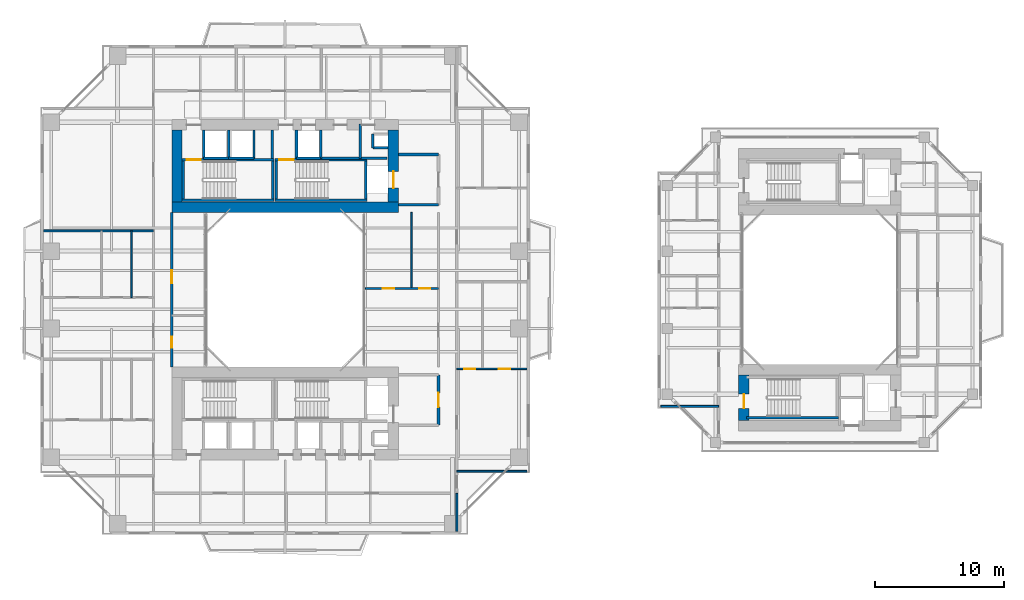
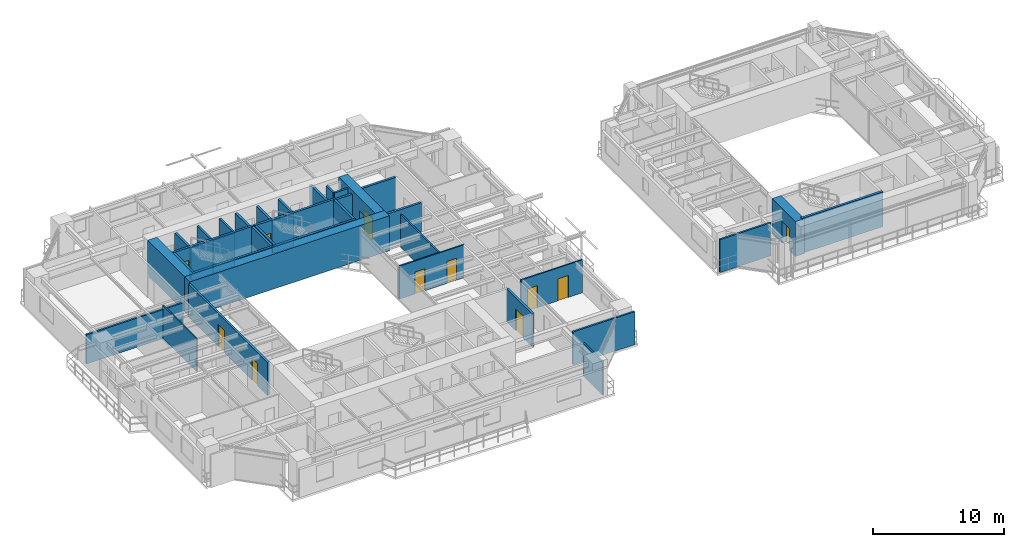
# One storey, part 14 of 23: 38 walls, 11 doors, 11 openings.
"""IFC4 building model written with IfcOpenShell, lengths in metres."""

from ifc_helpers import new_model, si_unit, direction, frame, frame_2d, origin, place, context, subcontext, project, spatial, rectangle, extrude, source, transform, mapped, material, layer, layer_set, type_object, element, fill, save


model = new_model("IFC4")

# Units and contexts
model_context = context("Model", 3, precision=1e-05, world=origin(), true_north=direction((0.0, 1.0)))
body_context = subcontext(model_context, "Body", "Model", "MODEL_VIEW")
ifc_project = project(units=[si_unit("LENGTHUNIT", "METRE"), si_unit("AREAUNIT", "SQUARE_METRE"), si_unit("VOLUMEUNIT", "CUBIC_METRE"), si_unit("PLANEANGLEUNIT", "RADIAN"), si_unit("MASSUNIT", "GRAM", prefix="KILO"), si_unit("THERMODYNAMICTEMPERATUREUNIT", "KELVIN"), si_unit("POWERUNIT", "WATT")], contexts=[model_context])

# Site, building, storey
site_placement = place(None, origin())
site = spatial("IfcSite", under=ifc_project, at=site_placement, CompositionType="ELEMENT")
building_placement = place(site_placement, origin())
building = spatial("IfcBuilding", under=site, at=building_placement, Name="Qiaomeng Ring Towers", CompositionType="ELEMENT")
storey_placement = place(building_placement, frame((0.0, 0.0, 76.25)))
storey = spatial("IfcBuildingStorey", under=building, at=storey_placement, Name="L21", CompositionType="ELEMENT", Elevation=76.25)

# Walls
ifc_material_1 = material(Name="Autoclaved aerated concrete block", Category="concrete")
ifc_layer_1 = layer(ifc_material_1, 0.199951171875, Name="Autoclaved aerated concrete block")
ifc_layer_set_1 = layer_set([ifc_layer_1], Name="Autoclaved aerated concrete block")
wall_type_1 = type_object("IfcWallType", Name="ARC-WL-PW1", PredefinedType="PARTITIONING", material=ifc_layer_set_1)
for number, where, z_axis, x_axis, name in (
    (1, (27.800048828125, 29.60009765625, 0.0), (0.0, 0.0, 1.0), (1.0, 0.0, 0.0), "L21 Interior Wall PW1"),
    (2, (27.800048828125, 33.5, 0.0), (0.0, 0.0, 1.0), (1.0, 0.0, 0.0), "L21 Interior Wall PW1"),
):
    element("IfcWall", number, at=place(storey_placement, frame(where, z_axis=z_axis, x_axis=x_axis)), inside=storey, type_object=wall_type_1, Name=name, PredefinedType="PARTITIONING", context=body_context, shape_type="SweptSolid", body=[
        extrude(rectangle(XDim=3.099853515625, YDim=0.199951171875, at=frame_2d((1.5498046875, 0.0))), origin(), (0.0, 0.0, 1.0), 3.070068359375),
    ])

# Wall, opening, door
wall_1_placement = place(storey_placement, frame((30.89990234375, 12.5, 0.0), z_axis=(0.0, 0.0, 1.0), x_axis=(0.0, 1.0, 0.0)))
wall_1 = element("IfcWall", 3, at=wall_1_placement, inside=storey, type_object=wall_type_1, Name="L21 Interior Wall PW1", PredefinedType="PARTITIONING", context=body_context, shape_type="SweptSolid", body=[
    extrude(rectangle(XDim=3.89990234375, YDim=0.199951171875, at=frame_2d((1.949951171875, 0.0))), origin(), (0.0, 0.0, 1.0), 3.070068359375),
])
opening_1_placement = place(wall_1_placement, frame((1.39990234375, 0.0, 0.0)))
opening_1 = element("IfcOpeningElement", 4, at=opening_1_placement, cuts=wall_1, Name="Opening FD3", PredefinedType="OPENING", context=body_context, shape_type="SweptSolid", body=[
    extrude(rectangle(XDim=1.10009765625, YDim=2.050048828125, at=frame_2d((0.550048828125, 1.02490234375))), frame((0.0, 0.10986328125, 0.0), z_axis=(0.0, -1.0, 0.0), x_axis=(1.0, 0.0, 0.0)), (0.0, 0.0, 1.0), 0.219970703125),
])
ifc_material_2 = material(Name="Galvanised steel", Category="steel")
door_type_1 = type_object("IfcDoorType", Name="ARC-DR-FD3", OperationType="NOTDEFINED", PredefinedType="DOOR", material=ifc_material_2)
shared_shape_1 = source(origin(), body_context, "Body", "SweptSolid", [
    extrude(rectangle(XDim=1.10009765625, YDim=2.050048828125, at=frame_2d((0.550048828125, 1.02490234375))), frame((0.0, 0.02490234375, 0.0), z_axis=(0.0, -1.0, 0.0), x_axis=(1.0, 0.0, 0.0)), (0.0, 0.0, 1.0), 0.050048828125),
])
door_1_placement = place(opening_1_placement, origin())
door_1 = element("IfcDoor", 5, at=door_1_placement, inside=storey, type_object=door_type_1, Name="L21 South FF Lobby Door", OperationType="SINGLE_SWING_RIGHT", OverallHeight=2.050048828125, OverallWidth=1.10009765625, PredefinedType="DOOR", context=body_context, shape_type="MappedRepresentation", body=[
    mapped(shared_shape_1, transform((0.0, 0.0, 0.0), x_axis=(1.0, 0.0, 0.0), y_axis=(0.0, 1.0, 0.0), z_axis=(0.0, 0.0, 1.0), scale=1.0)),
])
fill(opening_1, door_1)

# Walls
for number, where, z_axis, x_axis, name in (
    (6, (12.679931640625, 33.18994140625, 0.0), (0.0, 0.0, 1.0), (0.0, 1.0, 0.0), "L21 Interior Wall PW1"),
    (7, (18.0, 33.18994140625, 0.0), (0.0, 0.0, 1.0), (0.0, 1.0, 0.0), "L21 Interior Wall PW1"),
    (8, (19.8798828125, 33.18994140625, 0.0), (0.0, 0.0, 1.0), (0.0, 1.0, 0.0), "L21 Interior Wall PW1"),
):
    element("IfcWall", number, at=place(storey_placement, frame(where, z_axis=z_axis, x_axis=x_axis)), inside=storey, type_object=wall_type_1, Name=name, PredefinedType="PARTITIONING", context=body_context, shape_type="SweptSolid", body=[
        extrude(rectangle(XDim=2.2099609375, YDim=0.199951171875, at=frame_2d((1.10498046875, 0.0))), origin(), (0.0, 0.0, 1.0), 3.070068359375),
    ])
wall_2_placement = place(storey_placement, frame((24.820068359375, 33.199951171875, 0.0), z_axis=(0.0, 0.0, 1.0), x_axis=(0.0, 1.0, 0.0)))
element("IfcWall", 9, at=wall_2_placement, inside=storey, type_object=wall_type_1, Name="L21 Interior Wall PW1", PredefinedType="PARTITIONING", context=body_context, shape_type="SweptSolid", body=[
    extrude(rectangle(XDim=2.650146484375, YDim=0.199951171875, at=frame_2d((1.3251953125, 0.0))), origin(), (0.0, 0.0, 1.0), 3.070068359375),
])
wall_3_placement = place(storey_placement, frame((21.75, 33.199951171875, 0.0), z_axis=(0.0, 0.0, 1.0), x_axis=(0.0, 1.0, 0.0)))
element("IfcWall", 10, at=wall_3_placement, inside=storey, type_object=wall_type_1, Name="L21 Interior Wall PW1", PredefinedType="PARTITIONING", context=body_context, shape_type="SweptSolid", body=[
    extrude(rectangle(XDim=2.199951171875, YDim=0.199951171875, at=frame_2d((1.10009765625, 0.0))), origin(), (0.0, 0.0, 1.0), 3.070068359375),
])
wall_4_placement = place(storey_placement, frame((21.75, 33.199951171875, 0.0), z_axis=(0.0, 0.0, 1.0), x_axis=(1.0, 0.0, 0.0)))
element("IfcWall", 11, at=wall_4_placement, inside=storey, type_object=wall_type_1, Name="L21 Interior Wall PW1", PredefinedType="PARTITIONING", context=body_context, shape_type="SweptSolid", body=[
    extrude(rectangle(XDim=5.169921875, YDim=0.199951171875, at=frame_2d((2.5849609375, 0.0))), origin(), (0.0, 0.0, 1.0), 3.070068359375),
])

# Wall, openings, doors
ifc_layer_2 = layer(ifc_material_1, 0.179931640625, Name="Autoclaved aerated concrete block")
ifc_layer_set_2 = layer_set([ifc_layer_2], Name="Autoclaved aerated concrete block")
wall_type_2 = type_object("IfcWallType", Name="ARC-WL-PW2", PredefinedType="PARTITIONING", material=ifc_layer_set_2)
wall_5_placement = place(storey_placement, frame((10.199951171875, 17.0, 0.0), z_axis=(0.0, 0.0, 1.0), x_axis=(0.0, 1.0, 0.0)))
wall_5 = element("IfcWall", 12, at=wall_5_placement, inside=storey, type_object=wall_type_2, Name="L21 Interior Wall PW2", PredefinedType="PARTITIONING", context=body_context, shape_type="SweptSolid", body=[
    extrude(rectangle(XDim=12.0, YDim=0.179931640625, at=frame_2d((6.0, 0.0))), origin(), (0.0, 0.0, 1.0), 3.070068359375),
])
opening_2_placement = place(wall_5_placement, frame((1.5, 0.0, 0.0)))
opening_2 = element("IfcOpeningElement", 13, at=opening_2_placement, cuts=wall_5, Name="Opening ID2", PredefinedType="OPENING", context=body_context, shape_type="SweptSolid", body=[
    extrude(rectangle(XDim=0.85009765625, YDim=2.050048828125, at=frame_2d((0.425048828125, 1.02490234375))), frame((0.0, 0.099853515625, 0.0), z_axis=(0.0, -1.0, 0.0), x_axis=(1.0, 0.0, 0.0)), (0.0, 0.0, 1.0), 0.199951171875),
])
opening_3_placement = place(wall_5_placement, frame((6.5, 0.0, 0.0)))
opening_3 = element("IfcOpeningElement", 14, at=opening_3_placement, cuts=wall_5, Name="Opening FD4", PredefinedType="OPENING", context=body_context, shape_type="SweptSolid", body=[
    extrude(rectangle(XDim=1.0, YDim=2.050048828125, at=frame_2d((0.5, 1.02490234375))), frame((0.0, 0.099853515625, 0.0), z_axis=(0.0, -1.0, 0.0), x_axis=(1.0, 0.0, 0.0)), (0.0, 0.0, 1.0), 0.199951171875),
])
ifc_material_3 = material(Name="Engineered fire-rated oak timber", Category="wood")
door_type_2 = type_object("IfcDoorType", Name="ARC-DR-FD4", OperationType="NOTDEFINED", PredefinedType="DOOR", material=ifc_material_3)
shared_shape_2 = source(origin(), body_context, "Body", "SweptSolid", [
    extrude(rectangle(XDim=1.0, YDim=2.050048828125, at=frame_2d((0.5, 1.02490234375))), frame((0.0, 0.02490234375, 0.0), z_axis=(0.0, -1.0, 0.0), x_axis=(1.0, 0.0, 0.0)), (0.0, 0.0, 1.0), 0.050048828125),
])
door_2_placement = place(opening_3_placement, origin())
door_2 = element("IfcDoor", 15, at=door_2_placement, inside=storey, type_object=door_type_2, Name="L21 Door FD4", OperationType="SINGLE_SWING_RIGHT", OverallHeight=2.050048828125, OverallWidth=1.0, PredefinedType="DOOR", context=body_context, shape_type="MappedRepresentation", body=[
    mapped(shared_shape_2, transform((0.0, 0.0, 0.0), x_axis=(1.0, 0.0, 0.0), y_axis=(0.0, 1.0, 0.0), z_axis=(0.0, 0.0, 1.0), scale=1.0)),
])
fill(opening_3, door_2)
ifc_material_4 = material(Name="Moisture-resistant engineered timber", Category="wood")
door_type_3 = type_object("IfcDoorType", Name="ARC-DR-ID2", OperationType="NOTDEFINED", PredefinedType="DOOR", material=ifc_material_4)
shared_shape_3 = source(origin(), body_context, "Body", "SweptSolid", [
    extrude(rectangle(XDim=0.85009765625, YDim=2.050048828125, at=frame_2d((0.425048828125, 1.02490234375))), frame((0.0, 0.02490234375, 0.0), z_axis=(0.0, -1.0, 0.0), x_axis=(1.0, 0.0, 0.0)), (0.0, 0.0, 1.0), 0.050048828125),
])
door_3_placement = place(opening_2_placement, origin())
door_3 = element("IfcDoor", 16, at=door_3_placement, inside=storey, type_object=door_type_3, Name="L21 Door ID2", OperationType="SINGLE_SWING_LEFT", OverallHeight=2.050048828125, OverallWidth=0.85009765625, PredefinedType="DOOR", context=body_context, shape_type="MappedRepresentation", body=[
    mapped(shared_shape_3, transform((0.0, 0.0, 0.0), x_axis=(1.0, 0.0, 0.0), y_axis=(0.0, 1.0, 0.0), z_axis=(0.0, 0.0, 1.0), scale=1.0)),
])
fill(opening_2, door_3)

# Walls
ifc_material_5 = material(Name="Gypsum fireboard steel-stud partition", Category="steel")
ifc_layer_3 = layer(ifc_material_5, 0.14990234375, Name="Gypsum fireboard steel-stud partition")
ifc_layer_set_3 = layer_set([ifc_layer_3], Name="Gypsum fireboard steel-stud partition")
wall_type_3 = type_object("IfcWallType", Name="ARC-WL-PW3", PredefinedType="PARTITIONING", material=ifc_layer_set_3)
wall_6_placement = place(storey_placement, frame((32.320068359375, 4.25, 0.0), z_axis=(0.0, 0.0, 1.0), x_axis=(0.0, 1.0, 0.0)))
element("IfcWall", 17, at=wall_6_placement, inside=storey, type_object=wall_type_3, Name="L21 Interior Wall PW3", PredefinedType="PARTITIONING", context=body_context, shape_type="SweptSolid", body=[
    extrude(rectangle(XDim=2.9599609375, YDim=0.14990234375, at=frame_2d((1.47998046875, 0.0))), origin(), (0.0, 0.0, 1.0), 3.070068359375),
])
wall_7_placement = place(storey_placement, frame((0.25, 27.580078125, 0.0), z_axis=(0.0, 0.0, 1.0), x_axis=(1.0, 0.0, 0.0)))
element("IfcWall", 18, at=wall_7_placement, inside=storey, type_object=wall_type_3, Name="L21 Interior Wall PW3", PredefinedType="PARTITIONING", context=body_context, shape_type="SweptSolid", body=[
    extrude(rectangle(XDim=8.530029296875, YDim=0.14990234375, at=frame_2d((4.26513671875, 0.0))), origin(), (0.0, 0.0, 1.0), 2.715087890625),
])
wall_8_placement = place(storey_placement, frame((32.320068359375, 8.919921875, 0.0), z_axis=(0.0, 0.0, 1.0), x_axis=(1.0, 0.0, 0.0)))
element("IfcWall", 19, at=wall_8_placement, inside=storey, type_object=wall_type_3, Name="L21 Interior Wall PW3", PredefinedType="PARTITIONING", context=body_context, shape_type="SweptSolid", body=[
    extrude(rectangle(XDim=5.429931640625, YDim=0.14990234375, at=frame_2d((2.71484375, 0.0))), origin(), (0.0, 0.0, 1.0), 3.070068359375),
])
wall_9_placement = place(storey_placement, frame((48.14990234375, 13.949951171875, 0.0), z_axis=(0.0, 0.0, 1.0), x_axis=(1.0, 0.0, 0.0)))
element("IfcWall", 20, at=wall_9_placement, inside=storey, type_object=wall_type_3, Name="L21 Interior Wall PW3", PredefinedType="PARTITIONING", context=body_context, shape_type="SweptSolid", body=[
    extrude(rectangle(XDim=4.5, YDim=0.14990234375, at=frame_2d((2.25, 0.0))), origin(), (0.0, 0.0, 1.0), 3.070068359375),
])
ifc_material_6 = material(Name="Moisture-resistant gypsum steel-stud partition", Category="steel")
ifc_layer_4 = layer(ifc_material_6, 0.1201171875, Name="Moisture-resistant gypsum steel-stud partition")
ifc_layer_set_4 = layer_set([ifc_layer_4], Name="Moisture-resistant gypsum steel-stud partition")
wall_type_4 = type_object("IfcWallType", Name="ARC-WL-PW4", PredefinedType="PLUMBINGWALL", material=ifc_layer_set_4)
wall_10_placement = place(storey_placement, frame((7.06005859375, 22.39990234375, 0.0), z_axis=(0.0, 0.0, 1.0), x_axis=(0.0, 1.0, 0.0)))
element("IfcWall", 21, at=wall_10_placement, inside=storey, type_object=wall_type_4, Name="L21 Interior Wall PW4", PredefinedType="PLUMBINGWALL", context=body_context, shape_type="SweptSolid", body=[
    extrude(rectangle(XDim=5.18017578125, YDim=0.1201171875, at=frame_2d((2.590087890625, 0.0))), origin(), (0.0, 0.0, 1.0), 3.070068359375),
])

# Wall, openings, doors
wall_11_placement = place(storey_placement, frame((32.320068359375, 16.860107421875, 0.0), z_axis=(0.0, 0.0, 1.0), x_axis=(1.0, 0.0, 0.0)))
wall_11 = element("IfcWall", 22, at=wall_11_placement, inside=storey, type_object=wall_type_4, Name="L21 Interior Wall PW4", PredefinedType="PLUMBINGWALL", context=body_context, shape_type="SweptSolid", body=[
    extrude(rectangle(XDim=5.429931640625, YDim=0.1201171875, at=frame_2d((2.71484375, 0.0))), origin(), (0.0, 0.0, 1.0), 3.070068359375),
])
opening_4_placement = place(wall_11_placement, frame((0.590087890625, 0.0, 0.0)))
opening_4 = element("IfcOpeningElement", 23, at=opening_4_placement, cuts=wall_11, Name="Opening ID2", PredefinedType="OPENING", context=body_context, shape_type="SweptSolid", body=[
    extrude(rectangle(XDim=0.85009765625, YDim=2.050048828125, at=frame_2d((0.425048828125, 1.02490234375))), frame((0.0, 0.070068359375, 0.0), z_axis=(0.0, -1.0, 0.0), x_axis=(1.0, 0.0, 0.0)), (0.0, 0.0, 1.0), 0.14013671875),
])
opening_5_placement = place(wall_11_placement, frame((3.260009765625, 0.0, 0.0)))
opening_5 = element("IfcOpeningElement", 24, at=opening_5_placement, cuts=wall_11, Name="Opening ID1", PredefinedType="OPENING", context=body_context, shape_type="SweptSolid", body=[
    extrude(rectangle(XDim=0.89990234375, YDim=2.050048828125, at=frame_2d((0.449951171875, 1.02490234375))), frame((0.0, 0.070068359375, 0.0), z_axis=(0.0, -1.0, 0.0), x_axis=(1.0, 0.0, 0.0)), (0.0, 0.0, 1.0), 0.14013671875),
])
door_4_placement = place(opening_4_placement, origin())
door_4 = element("IfcDoor", 25, at=door_4_placement, inside=storey, type_object=door_type_3, Name="L21 Door ID2", OperationType="SINGLE_SWING_LEFT", OverallHeight=2.050048828125, OverallWidth=0.85009765625, PredefinedType="DOOR", context=body_context, shape_type="MappedRepresentation", body=[
    mapped(shared_shape_3, transform((0.0, 0.0, 0.0), x_axis=(1.0, 0.0, 0.0), y_axis=(0.0, 1.0, 0.0), z_axis=(0.0, 0.0, 1.0), scale=1.0)),
])
fill(opening_4, door_4)
ifc_material_7 = material(Name="Engineered oak timber", Category="wood")
door_type_4 = type_object("IfcDoorType", Name="ARC-DR-ID1", OperationType="NOTDEFINED", PredefinedType="DOOR", material=ifc_material_7)
shared_shape_4 = source(origin(), body_context, "Body", "SweptSolid", [
    extrude(rectangle(XDim=0.89990234375, YDim=2.050048828125, at=frame_2d((0.449951171875, 1.02490234375))), frame((0.0, 0.02490234375, 0.0), z_axis=(0.0, -1.0, 0.0), x_axis=(1.0, 0.0, 0.0)), (0.0, 0.0, 1.0), 0.050048828125),
])
door_5_placement = place(opening_5_placement, origin())
door_5 = element("IfcDoor", 26, at=door_5_placement, inside=storey, type_object=door_type_4, Name="L21 Door ID1", OperationType="SINGLE_SWING_RIGHT", OverallHeight=2.050048828125, OverallWidth=0.89990234375, PredefinedType="DOOR", context=body_context, shape_type="MappedRepresentation", body=[
    mapped(shared_shape_4, transform((0.0, 0.0, 0.0), x_axis=(1.0, 0.0, 0.0), y_axis=(0.0, 1.0, 0.0), z_axis=(0.0, 0.0, 1.0), scale=1.0)),
])
fill(opening_5, door_5)

wall_12_placement = place(storey_placement, frame((25.219970703125, 23.10009765625, 0.0), z_axis=(0.0, 0.0, 1.0), x_axis=(1.0, 0.0, 0.0)))
wall_12 = element("IfcWall", 27, at=wall_12_placement, inside=storey, type_object=wall_type_4, Name="L21 Interior Wall PW4", PredefinedType="PLUMBINGWALL", context=body_context, shape_type="SweptSolid", body=[
    extrude(rectangle(XDim=5.679931640625, YDim=0.1201171875, at=frame_2d((2.83984375, 0.0))), origin(), (0.0, 0.0, 1.0), 3.070068359375),
])
opening_6_placement = place(wall_12_placement, frame((1.35009765625, 0.0, 0.0)))
opening_6 = element("IfcOpeningElement", 28, at=opening_6_placement, cuts=wall_12, Name="Opening ID1", PredefinedType="OPENING", context=body_context, shape_type="SweptSolid", body=[
    extrude(rectangle(XDim=0.89990234375, YDim=2.050048828125, at=frame_2d((0.449951171875, 1.02490234375))), frame((0.0, 0.070068359375, 0.0), z_axis=(0.0, -1.0, 0.0), x_axis=(1.0, 0.0, 0.0)), (0.0, 0.0, 1.0), 0.14013671875),
])
opening_7_placement = place(wall_12_placement, frame((4.195068359375, 0.0, 0.0)))
opening_7 = element("IfcOpeningElement", 29, at=opening_7_placement, cuts=wall_12, Name="Opening ID2", PredefinedType="OPENING", context=body_context, shape_type="SweptSolid", body=[
    extrude(rectangle(XDim=0.85009765625, YDim=2.050048828125, at=frame_2d((0.425048828125, 1.02490234375))), frame((0.0, 0.070068359375, 0.0), z_axis=(0.0, -1.0, 0.0), x_axis=(1.0, 0.0, 0.0)), (0.0, 0.0, 1.0), 0.14013671875),
])
door_6_placement = place(opening_7_placement, origin())
door_6 = element("IfcDoor", 30, at=door_6_placement, inside=storey, type_object=door_type_3, Name="L21 Door ID2", OperationType="SINGLE_SWING_RIGHT", OverallHeight=2.050048828125, OverallWidth=0.85009765625, PredefinedType="DOOR", context=body_context, shape_type="MappedRepresentation", body=[
    mapped(shared_shape_3, transform((0.0, 0.0, 0.0), x_axis=(1.0, 0.0, 0.0), y_axis=(0.0, 1.0, 0.0), z_axis=(0.0, 0.0, 1.0), scale=1.0)),
])
fill(opening_7, door_6)
door_7_placement = place(opening_6_placement, origin())
door_7 = element("IfcDoor", 31, at=door_7_placement, inside=storey, type_object=door_type_4, Name="L21 Door ID1", OperationType="SINGLE_SWING_LEFT", OverallHeight=2.050048828125, OverallWidth=0.89990234375, PredefinedType="DOOR", context=body_context, shape_type="MappedRepresentation", body=[
    mapped(shared_shape_4, transform((0.0, 0.0, 0.0), x_axis=(1.0, 0.0, 0.0), y_axis=(0.0, 1.0, 0.0), z_axis=(0.0, 0.0, 1.0), scale=1.0)),
])
fill(opening_6, door_7)

# Walls
wall_13_placement = place(storey_placement, frame((28.800048828125, 23.10009765625, 0.0), z_axis=(0.0, 0.0, 1.0), x_axis=(0.0, 1.0, 0.0)))
element("IfcWall", 32, at=wall_13_placement, inside=storey, type_object=wall_type_4, Name="L21 Interior Wall PW4", PredefinedType="PLUMBINGWALL", context=body_context, shape_type="SweptSolid", body=[
    extrude(rectangle(XDim=5.89990234375, YDim=0.1201171875, at=frame_2d((2.949951171875, 0.0))), origin(), (0.0, 0.0, 1.0), 3.070068359375),
])
ifc_material_8 = material(Name="Concrete C40", Category="concrete")
ifc_layer_5 = layer(ifc_material_8, 0.199951171875, Name="Concrete C40")
ifc_layer_set_5 = layer_set([ifc_layer_5], Name="Concrete C40")
wall_type_5 = type_object("IfcWallType", Name="STR-WL-STSHAFT", PredefinedType="SHEAR", material=ifc_layer_set_5)
wall_14_placement = place(storey_placement, frame((12.679931640625, 33.199951171875, 0.0), z_axis=(0.0, 0.0, 1.0), x_axis=(1.0, 0.0, 0.0)))
element("IfcWall", 33, at=wall_14_placement, inside=storey, type_object=wall_type_5, Name="L21 Lift LP5 Shaft Back Wall", PredefinedType="SHEAR", context=body_context, shape_type="SweptSolid", body=[
    extrude(rectangle(XDim=1.940185546875, YDim=0.179931640625, at=frame_2d((0.97021484375, 0.0))), origin(), (0.0, 0.0, 1.0), 3.070068359375),
])
wall_15_placement = place(storey_placement, frame((14.6201171875, 33.199951171875, 0.0), z_axis=(0.0, 0.0, 1.0), x_axis=(0.0, 1.0, 0.0)))
element("IfcWall", 34, at=wall_15_placement, inside=storey, type_object=wall_type_5, Name="L21 Lift LP5-LP3 Shaft Divider Wall", PredefinedType="SHEAR", context=body_context, shape_type="SweptSolid", body=[
    extrude(rectangle(XDim=2.199951171875, YDim=0.179931640625, at=frame_2d((1.10009765625, 0.0))), origin(), (0.0, 0.0, 1.0), 3.070068359375),
])
wall_16_placement = place(storey_placement, frame((25.800048828125, 34.02001953125, 0.0), z_axis=(0.0, 0.0, 1.0), x_axis=(0.0, 1.0, 0.0)))
element("IfcWall", 35, at=wall_16_placement, inside=storey, type_object=wall_type_5, Name="L21 Riser RSR1 West Shaft Wall N", PredefinedType="SHEAR", context=body_context, shape_type="SweptSolid", body=[
    extrude(rectangle(XDim=1.06005859375, YDim=0.179931640625, at=frame_2d((0.530029296875, 0.0))), origin(), (0.0, 0.0, 1.0), 3.070068359375),
])
wall_17_placement = place(storey_placement, frame((25.800048828125, 34.02001953125, 0.0), z_axis=(0.0, 0.0, 1.0), x_axis=(1.0, 0.0, 0.0)))
element("IfcWall", 36, at=wall_17_placement, inside=storey, type_object=wall_type_5, Name="L21 Riser RSR1 South Shaft Wall N", PredefinedType="SHEAR", context=body_context, shape_type="SweptSolid", body=[
    extrude(rectangle(XDim=1.199951171875, YDim=0.179931640625, at=frame_2d((0.60009765625, 0.0))), origin(), (0.0, 0.0, 1.0), 3.070068359375),
])
wall_18_placement = place(storey_placement, frame((14.6201171875, 33.199951171875, 0.0), z_axis=(0.0, 0.0, 1.0), x_axis=(1.0, 0.0, 0.0)))
element("IfcWall", 37, at=wall_18_placement, inside=storey, type_object=wall_type_5, Name="L21 Lift LP3 Shaft Back Wall", PredefinedType="SHEAR", context=body_context, shape_type="SweptSolid", body=[
    extrude(rectangle(XDim=1.9599609375, YDim=0.179931640625, at=frame_2d((0.97998046875, 0.0))), origin(), (0.0, 0.0, 1.0), 3.070068359375),
])
wall_19_placement = place(storey_placement, frame((16.580078125, 33.199951171875, 0.0), z_axis=(0.0, 0.0, 1.0), x_axis=(0.0, 1.0, 0.0)))
element("IfcWall", 38, at=wall_19_placement, inside=storey, type_object=wall_type_5, Name="L21 Lift LP3 East Shaft Wall", PredefinedType="SHEAR", context=body_context, shape_type="SweptSolid", body=[
    extrude(rectangle(XDim=2.199951171875, YDim=0.179931640625, at=frame_2d((1.10009765625, 0.0))), origin(), (0.0, 0.0, 1.0), 3.070068359375),
])
wall_20_placement = place(storey_placement, frame((19.8798828125, 33.199951171875, 0.0), z_axis=(0.0, 0.0, 1.0), x_axis=(1.0, 0.0, 0.0)))
element("IfcWall", 39, at=wall_20_placement, inside=storey, type_object=wall_type_5, Name="L21 Lift LP1 Shaft Back Wall", PredefinedType="SHEAR", context=body_context, shape_type="SweptSolid", body=[
    extrude(rectangle(XDim=1.8701171875, YDim=0.179931640625, at=frame_2d((0.93505859375, 0.0))), origin(), (0.0, 0.0, 1.0), 3.070068359375),
])
wall_21_placement = place(storey_placement, frame((11.0, 29.949951171875, 0.0), z_axis=(0.0, 0.0, 1.0), x_axis=(1.0, 0.0, 0.0)))
element("IfcWall", 40, at=wall_21_placement, inside=storey, type_object=wall_type_5, Name="L21 Stair ST1 South Shaft Shear Wall", PredefinedType="SHEAR", context=body_context, shape_type="SweptSolid", body=[
    extrude(rectangle(XDim=7.14990234375, YDim=0.199951171875, at=frame_2d((3.574951171875, 0.0))), origin(), (0.0, 0.0, 1.0), 3.25),
])

# Wall, opening, door
wall_22_placement = place(storey_placement, frame((11.0, 33.090087890625, 0.0), z_axis=(0.0, 0.0, 1.0), x_axis=(1.0, 0.0, 0.0)))
wall_22 = element("IfcWall", 41, at=wall_22_placement, inside=storey, type_object=wall_type_5, Name="L21 Stair ST1 North Shaft Shear Wall", PredefinedType="SHEAR", context=body_context, shape_type="SweptSolid", body=[
    extrude(rectangle(XDim=7.14990234375, YDim=0.199951171875, at=frame_2d((3.574951171875, 0.0))), origin(), (0.0, 0.0, 1.0), 3.25),
])
opening_8_placement = place(wall_22_placement, frame((0.35009765625, 0.0, 0.0)))
opening_8 = element("IfcOpeningElement", 42, at=opening_8_placement, cuts=wall_22, Name="Opening FD3", PredefinedType="OPENING", context=body_context, shape_type="SweptSolid", body=[
    extrude(rectangle(XDim=1.10009765625, YDim=2.050048828125, at=frame_2d((0.550048828125, 1.02490234375))), frame((0.0, 0.10986328125, 0.0), z_axis=(0.0, -1.0, 0.0), x_axis=(1.0, 0.0, 0.0)), (0.0, 0.0, 1.0), 0.219970703125),
])
door_8_placement = place(opening_8_placement, origin())
door_8 = element("IfcDoor", 43, at=door_8_placement, inside=storey, type_object=door_type_1, Name="L21 Stair ST1 Exit Door", OperationType="SINGLE_SWING_RIGHT", OverallHeight=2.050048828125, OverallWidth=1.10009765625, PredefinedType="DOOR", context=body_context, shape_type="MappedRepresentation", body=[
    mapped(shared_shape_1, transform((0.0, 0.0, 0.0), x_axis=(1.0, 0.0, 0.0), y_axis=(0.0, 1.0, 0.0), z_axis=(0.0, 0.0, 1.0), scale=1.0)),
])
fill(opening_8, door_8)

# Walls
for number, where, z_axis, x_axis, name in (
    (44, (11.10009765625, 30.050048828125, 0.0), (0.0, 0.0, 1.0), (0.0, 1.0, 0.0), "L21 Stair ST1 West Shaft Shear Wall"),
    (45, (18.050048828125, 30.050048828125, 0.0), (0.0, 0.0, 1.0), (0.0, 1.0, 0.0), "L21 Stair ST1 East Shaft Shear Wall"),
):
    element("IfcWall", number, at=place(storey_placement, frame(where, z_axis=z_axis, x_axis=x_axis)), inside=storey, type_object=wall_type_5, Name=name, PredefinedType="SHEAR", context=body_context, shape_type="SweptSolid", body=[
        extrude(rectangle(XDim=2.93994140625, YDim=0.199951171875, at=frame_2d((1.469970703125, 0.0))), origin(), (0.0, 0.0, 1.0), 3.25),
    ])
wall_23_placement = place(storey_placement, frame((18.199951171875, 29.949951171875, 0.0), z_axis=(0.0, 0.0, 1.0), x_axis=(1.0, 0.0, 0.0)))
element("IfcWall", 46, at=wall_23_placement, inside=storey, type_object=wall_type_5, Name="L21 Stair ST2 South Shaft Shear Wall", PredefinedType="SHEAR", context=body_context, shape_type="SweptSolid", body=[
    extrude(rectangle(XDim=7.150146484375, YDim=0.199951171875, at=frame_2d((3.5751953125, 0.0))), origin(), (0.0, 0.0, 1.0), 3.25),
])

# Wall, opening, door
wall_24_placement = place(storey_placement, frame((18.199951171875, 33.090087890625, 0.0), z_axis=(0.0, 0.0, 1.0), x_axis=(1.0, 0.0, 0.0)))
wall_24 = element("IfcWall", 47, at=wall_24_placement, inside=storey, type_object=wall_type_5, Name="L21 Stair ST2 North Shaft Shear Wall", PredefinedType="SHEAR", context=body_context, shape_type="SweptSolid", body=[
    extrude(rectangle(XDim=7.150146484375, YDim=0.199951171875, at=frame_2d((3.5751953125, 0.0))), origin(), (0.0, 0.0, 1.0), 3.25),
])
opening_9_placement = place(wall_24_placement, frame((0.35009765625, 0.0, 0.0)))
opening_9 = element("IfcOpeningElement", 48, at=opening_9_placement, cuts=wall_24, Name="Opening FD3", PredefinedType="OPENING", context=body_context, shape_type="SweptSolid", body=[
    extrude(rectangle(XDim=1.10009765625, YDim=2.050048828125, at=frame_2d((0.550048828125, 1.02490234375))), frame((0.0, 0.10986328125, 0.0), z_axis=(0.0, -1.0, 0.0), x_axis=(1.0, 0.0, 0.0)), (0.0, 0.0, 1.0), 0.219970703125),
])
door_9_placement = place(opening_9_placement, origin())
door_9 = element("IfcDoor", 49, at=door_9_placement, inside=storey, type_object=door_type_1, Name="L21 Stair ST2 Exit Door", OperationType="SINGLE_SWING_RIGHT", OverallHeight=2.050048828125, OverallWidth=1.10009765625, PredefinedType="DOOR", context=body_context, shape_type="MappedRepresentation", body=[
    mapped(shared_shape_1, transform((0.0, 0.0, 0.0), x_axis=(1.0, 0.0, 0.0), y_axis=(0.0, 1.0, 0.0), z_axis=(0.0, 0.0, 1.0), scale=1.0)),
])
fill(opening_9, door_9)

# Walls
for number, where, z_axis, x_axis, name in (
    (50, (18.300048828125, 30.050048828125, 0.0), (0.0, 0.0, 1.0), (0.0, 1.0, 0.0), "L21 Stair ST2 West Shaft Shear Wall"),
    (51, (25.25, 30.050048828125, 0.0), (0.0, 0.0, 1.0), (0.0, 1.0, 0.0), "L21 Stair ST2 East Shaft Shear Wall"),
):
    element("IfcWall", number, at=place(storey_placement, frame(where, z_axis=z_axis, x_axis=x_axis)), inside=storey, type_object=wall_type_5, Name=name, PredefinedType="SHEAR", context=body_context, shape_type="SweptSolid", body=[
        extrude(rectangle(XDim=2.93994140625, YDim=0.199951171875, at=frame_2d((1.469970703125, 0.0))), origin(), (0.0, 0.0, 1.0), 3.25),
    ])
wall_25_placement = place(storey_placement, frame((54.800048828125, 13.06005859375, 0.0), z_axis=(0.0, 0.0, 1.0), x_axis=(1.0, 0.0, 0.0)))
element("IfcWall", 52, at=wall_25_placement, inside=storey, type_object=wall_type_5, Name="L21 Stair ST6 South Shaft Shear Wall", PredefinedType="SHEAR", context=body_context, shape_type="SweptSolid", body=[
    extrude(rectangle(XDim=7.14990234375, YDim=0.199951171875, at=frame_2d((3.574951171875, 0.0))), origin(), (0.0, 0.0, 1.0), 3.25),
])
ifc_material_9 = material(Name="Concrete C60", Category="concrete")
ifc_layer_6 = layer(ifc_material_9, 0.800048828125, Name="Concrete C60")
ifc_layer_set_6 = layer_set([ifc_layer_6], Name="Concrete C60")
wall_type_6 = type_object("IfcWallType", Name="STR-WL-SW1", PredefinedType="SHEAR", material=ifc_layer_set_6)
wall_26_placement = place(storey_placement, frame((10.199951171875, 29.39990234375, 0.0), z_axis=(0.0, 0.0, 1.0), x_axis=(1.0, 0.0, 0.0)))
element("IfcWall", 53, at=wall_26_placement, inside=storey, type_object=wall_type_6, Name="L21 T1NC south core shear wall", PredefinedType="SHEAR", context=body_context, shape_type="SweptSolid", body=[
    extrude(rectangle(XDim=17.60009765625, YDim=0.800048828125, at=frame_2d((8.800048828125, 0.0))), origin(), (0.0, 0.0, 1.0), 3.25),
])
wall_27_placement = place(storey_placement, frame((10.60009765625, 29.800048828125, 0.0), z_axis=(0.0, 0.0, 1.0), x_axis=(0.0, 1.0, 0.0)))
element("IfcWall", 54, at=wall_27_placement, inside=storey, type_object=wall_type_6, Name="L21 T1NC west core shear wall", PredefinedType="SHEAR", context=body_context, shape_type="SweptSolid", body=[
    extrude(rectangle(XDim=5.599853515625, YDim=0.800048828125, at=frame_2d((2.7998046875, 0.0))), origin(), (0.0, 0.0, 1.0), 3.25),
])

# Wall, opening, door
wall_28_placement = place(storey_placement, frame((27.39990234375, 29.800048828125, 0.0), z_axis=(0.0, 0.0, 1.0), x_axis=(0.0, 1.0, 0.0)))
wall_28 = element("IfcWall", 55, at=wall_28_placement, inside=storey, type_object=wall_type_6, Name="L21 T1NC east core shear wall", PredefinedType="SHEAR", context=body_context, shape_type="SweptSolid", body=[
    extrude(rectangle(XDim=5.599853515625, YDim=0.800048828125, at=frame_2d((2.7998046875, 0.0))), origin(), (0.0, 0.0, 1.0), 3.25),
])
opening_10_placement = place(wall_28_placement, frame((1.10009765625, 0.0, 0.0)))
opening_10 = element("IfcOpeningElement", 56, at=opening_10_placement, cuts=wall_28, Name="Opening LD2", PredefinedType="OPENING", context=body_context, shape_type="SweptSolid", body=[
    extrude(rectangle(XDim=1.300048828125, YDim=2.050048828125, at=frame_2d((0.64990234375, 1.02490234375))), frame((0.0, 0.409912109375, 0.0), z_axis=(0.0, -1.0, 0.0), x_axis=(1.0, 0.0, 0.0)), (0.0, 0.0, 1.0), 0.820068359375),
])
ifc_material_10 = material(Name="Stainless steel 316", Category="steel")
door_type_5 = type_object("IfcDoorType", Name="ARC-DR-LD2", OperationType="NOTDEFINED", PredefinedType="DOOR", material=ifc_material_10)
shared_shape_5 = source(origin(), body_context, "Body", "SweptSolid", [
    extrude(rectangle(XDim=1.300048828125, YDim=2.050048828125, at=frame_2d((0.64990234375, 1.02490234375))), frame((0.0, 0.02490234375, 0.0), z_axis=(0.0, -1.0, 0.0), x_axis=(1.0, 0.0, 0.0)), (0.0, 0.0, 1.0), 0.050048828125),
])
door_10_placement = place(opening_10_placement, origin())
door_10 = element("IfcDoor", 57, at=door_10_placement, inside=storey, type_object=door_type_5, Name="L21 Firefighting Lift FL1 Landing Door", OperationType="SLIDING_TO_LEFT", OverallHeight=2.050048828125, OverallWidth=1.300048828125, PredefinedType="DOOR", context=body_context, shape_type="MappedRepresentation", body=[
    mapped(shared_shape_5, transform((0.0, 0.0, 0.0), x_axis=(1.0, 0.0, 0.0), y_axis=(0.0, 1.0, 0.0), z_axis=(0.0, 0.0, 1.0), scale=1.0)),
])
fill(opening_10, door_10)

wall_29_placement = place(storey_placement, frame((54.60009765625, 12.85009765625, 0.0), z_axis=(0.0, 0.0, 1.0), x_axis=(0.0, 1.0, 0.0)))
wall_29 = element("IfcWall", 58, at=wall_29_placement, inside=storey, type_object=wall_type_6, Name="L21 T2SC west core shear wall", PredefinedType="SHEAR", context=body_context, shape_type="SweptSolid", body=[
    extrude(rectangle(XDim=3.5498046875, YDim=0.800048828125, at=frame_2d((1.77490234375, 0.0))), origin(), (0.0, 0.0, 1.0), 3.25),
])
opening_11_placement = place(wall_29_placement, frame((0.949951171875, 0.0, 0.0)))
opening_11 = element("IfcOpeningElement", 59, at=opening_11_placement, cuts=wall_29, Name="Opening FD3", PredefinedType="OPENING", context=body_context, shape_type="SweptSolid", body=[
    extrude(rectangle(XDim=1.10009765625, YDim=2.050048828125, at=frame_2d((0.550048828125, 1.02490234375))), frame((0.0, 0.409912109375, 0.0), z_axis=(0.0, -1.0, 0.0), x_axis=(1.0, 0.0, 0.0)), (0.0, 0.0, 1.0), 0.820068359375),
])
door_11_placement = place(opening_11_placement, origin())
door_11 = element("IfcDoor", 60, at=door_11_placement, inside=storey, type_object=door_type_1, Name="L21 Stair ST6 Exit Door", OperationType="SINGLE_SWING_LEFT", OverallHeight=2.050048828125, OverallWidth=1.10009765625, PredefinedType="DOOR", context=body_context, shape_type="MappedRepresentation", body=[
    mapped(shared_shape_1, transform((0.0, 0.0, 0.0), x_axis=(1.0, 0.0, 0.0), y_axis=(0.0, 1.0, 0.0), z_axis=(0.0, 0.0, 1.0), scale=1.0)),
])
fill(opening_11, door_11)

save(model, "model.ifc")
